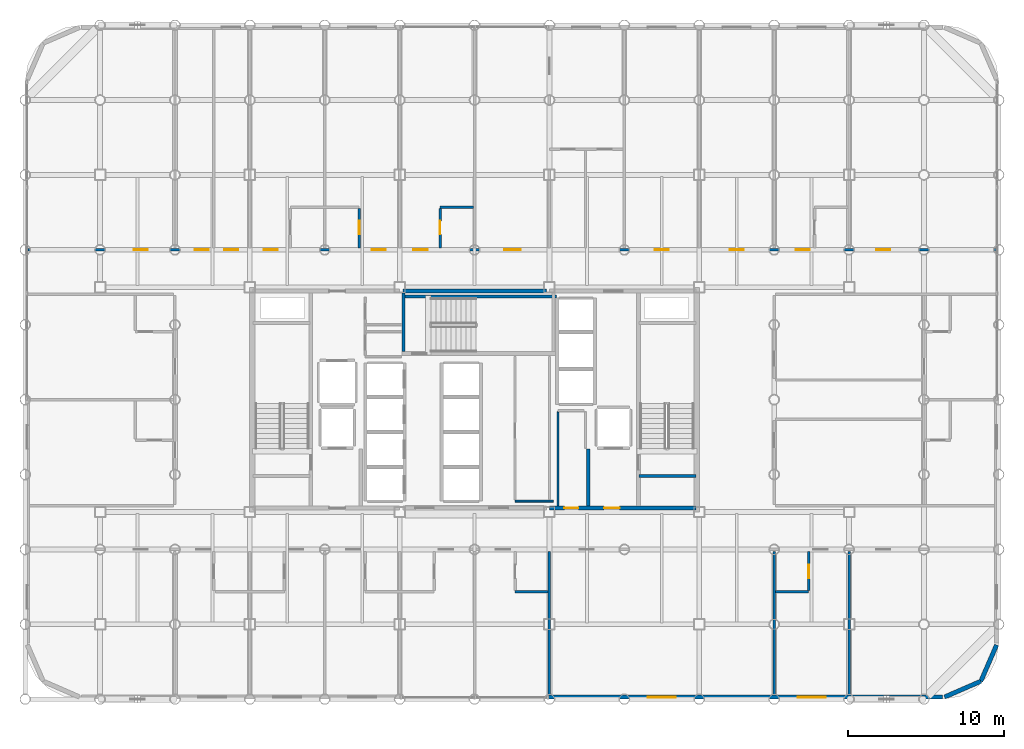
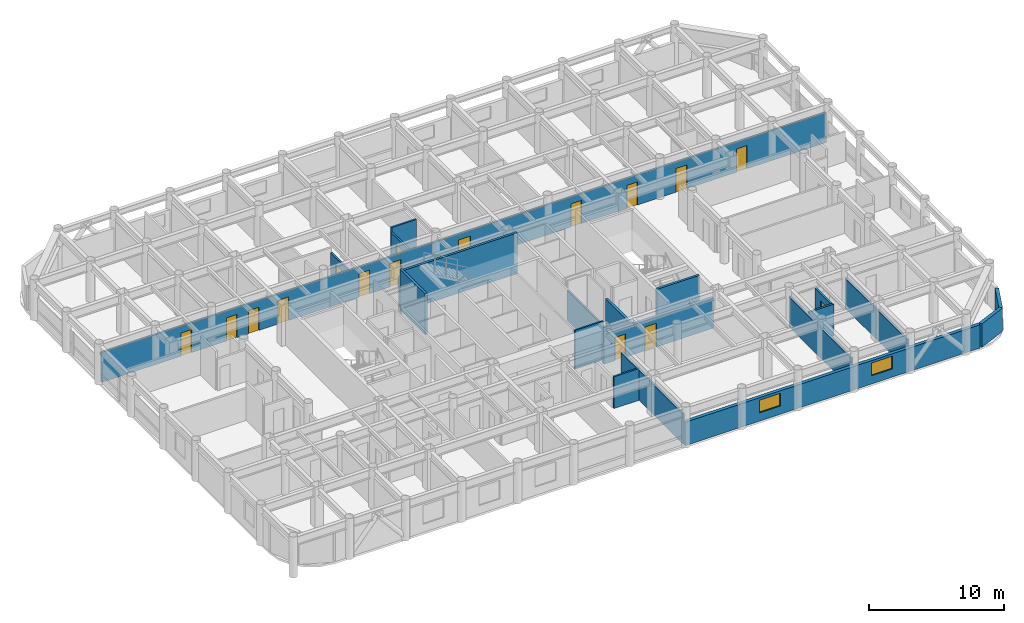
# One storey, part 19 of 22: 21 walls, 16 doors, 2 windows, 18 openings.
"""IFC4 building model written with IfcOpenShell, lengths in metres."""

from ifc_helpers import new_model, si_unit, direction, frame, frame_2d, origin, place, context, subcontext, project, spatial, rectangle, extrude, material, layer, layer_set, type_object, element, fill, save


model = new_model("IFC4")

# Units and contexts
model_context = context("Model", 3, precision=1e-05, world=origin(), true_north=direction((0.0, 1.0)))
body_context = subcontext(model_context, "Body", "Model", "MODEL_VIEW")
ifc_project = project(units=[si_unit("LENGTHUNIT", "METRE"), si_unit("AREAUNIT", "SQUARE_METRE"), si_unit("VOLUMEUNIT", "CUBIC_METRE"), si_unit("PLANEANGLEUNIT", "RADIAN"), si_unit("MASSUNIT", "GRAM", prefix="KILO")], contexts=[model_context])

# Site, building, storey
site_placement = place(None, origin())
site = spatial("IfcSite", under=ifc_project, at=site_placement, CompositionType="ELEMENT")
building_placement = place(site_placement, origin())
building = spatial("IfcBuilding", under=site, at=building_placement, Name="Kallvorn Hotel Tower", CompositionType="ELEMENT")
storey_placement = place(building_placement, frame((0.0, 0.0, 106.300048828125)))
storey = spatial("IfcBuildingStorey", under=building, at=storey_placement, Name="L25", CompositionType="ELEMENT", Elevation=106.300048828125)

# Walls
ifc_material_1 = material(Name="Fire-rated double-layer acoustic gypsum drywall EI 60")
ifc_layer_1 = layer(ifc_material_1, 0.159912109375)
ifc_layer_set_1 = layer_set([ifc_layer_1], Name="WL_DEMISE_160")
wall_type_1 = type_object("IfcWallType", Name="WL_DEMISE_160", PredefinedType="PARTITIONING", material=ifc_layer_set_1)
for number, where, z_axis, x_axis, name in (
    (1, (2.590087890625, -12.320068359375, 0.0), (0.0, 0.0, 1.0), (1.0, 0.0, 0.0), "L25 Suite 2509 Superior Twin Room Partition"),
    (2, (19.280029296875, -12.320068359375, 0.0), (0.0, 0.0, 1.0), (1.0, 0.0, 0.0), "L25 Suite 2510 Superior Twin Room Partition"),
):
    element("IfcWall", number, at=place(storey_placement, frame(where, z_axis=z_axis, x_axis=x_axis)), inside=storey, type_object=wall_type_1, Name=name, PredefinedType="PARTITIONING", context=body_context, shape_type="SweptSolid", body=[
        extrude(rectangle(XDim=2.1298828125, YDim=0.159912109375, at=frame_2d((1.06494140625, 0.0))), origin(), (0.0, 0.0, 1.0), 2.869873046875),
    ])

# Wall, openings, doors
wall_1_placement = place(storey_placement, frame((-28.6298828125, 9.60009765625, 0.0), z_axis=(0.0, 0.0, 1.0), x_axis=(1.0, 0.0, 0.0)))
wall_1 = element("IfcWall", 3, at=wall_1_placement, inside=storey, type_object=wall_type_1, Name="L25 Suite 2511 Standard Twin Room Partition", PredefinedType="PARTITIONING", context=body_context, shape_type="SweptSolid", body=[
    extrude(rectangle(XDim=62.059814453125, YDim=0.159912109375, at=frame_2d((31.02978515625, 0.0))), origin(), (0.0, 0.0, 1.0), 2.719970703125),
])
opening_1_placement = place(wall_1_placement, frame((6.799560546875, 0.0, 0.0)))
opening_1 = element("IfcOpeningElement", 4, at=opening_1_placement, cuts=wall_1, Name="Opening SVD1", PredefinedType="OPENING", context=body_context, shape_type="SweptSolid", body=[
    extrude(rectangle(XDim=0.89990234375, YDim=2.10009765625, at=frame_2d((0.449951171875, 1.050048828125))), frame((0.0, 0.094970703125, 0.0), z_axis=(0.0, -1.0, 0.0), x_axis=(1.0, 0.0, 0.0)), (0.0, 0.0, 1.0), 0.18994140625),
])
opening_2_placement = place(wall_1_placement, frame((54.360595703125, 0.0, 0.0)))
opening_2 = element("IfcOpeningElement", 5, at=opening_2_placement, cuts=wall_1, Name="Opening SVD1", PredefinedType="OPENING", context=body_context, shape_type="SweptSolid", body=[
    extrude(rectangle(XDim=0.89990234375, YDim=2.10009765625, at=frame_2d((0.449951171875, 1.050048828125))), frame((0.0, 0.094970703125, 0.0), z_axis=(0.0, -1.0, 0.0), x_axis=(1.0, 0.0, 0.0)), (0.0, 0.0, 1.0), 0.18994140625),
])
opening_3_placement = place(wall_1_placement, frame((10.68994140625, 0.0, 0.0)))
opening_3 = element("IfcOpeningElement", 6, at=opening_3_placement, cuts=wall_1, Name="Opening SVD1", PredefinedType="OPENING", context=body_context, shape_type="SweptSolid", body=[
    extrude(rectangle(XDim=0.89990234375, YDim=2.10009765625, at=frame_2d((0.449951171875, 1.050048828125))), frame((0.0, 0.094970703125, 0.0), z_axis=(0.0, -1.0, 0.0), x_axis=(1.0, 0.0, 0.0)), (0.0, 0.0, 1.0), 0.18994140625),
])
opening_4_placement = place(wall_1_placement, frame((12.580078125, 0.0, 0.0)))
opening_4 = element("IfcOpeningElement", 7, at=opening_4_placement, cuts=wall_1, Name="Opening SVD1", PredefinedType="OPENING", context=body_context, shape_type="SweptSolid", body=[
    extrude(rectangle(XDim=0.89990234375, YDim=2.10009765625, at=frame_2d((0.449951171875, 1.050048828125))), frame((0.0, 0.094970703125, 0.0), z_axis=(0.0, -1.0, 0.0), x_axis=(1.0, 0.0, 0.0)), (0.0, 0.0, 1.0), 0.18994140625),
])
opening_5_placement = place(wall_1_placement, frame((15.10498046875, 0.0, 0.0)))
opening_5 = element("IfcOpeningElement", 8, at=opening_5_placement, cuts=wall_1, Name="Opening GD1", PredefinedType="OPENING", context=body_context, shape_type="SweptSolid", body=[
    extrude(rectangle(XDim=0.919921875, YDim=2.14990234375, at=frame_2d((0.4599609375, 1.074951171875))), frame((0.0, 0.094970703125, 0.0), z_axis=(0.0, -1.0, 0.0), x_axis=(1.0, 0.0, 0.0)), (0.0, 0.0, 1.0), 0.18994140625),
])
opening_6_placement = place(wall_1_placement, frame((22.034912109375, 0.0, 0.0)))
opening_6 = element("IfcOpeningElement", 9, at=opening_6_placement, cuts=wall_1, Name="Opening GD1", PredefinedType="OPENING", context=body_context, shape_type="SweptSolid", body=[
    extrude(rectangle(XDim=0.919921875, YDim=2.14990234375, at=frame_2d((0.4599609375, 1.074951171875))), frame((0.0, 0.094970703125, 0.0), z_axis=(0.0, -1.0, 0.0), x_axis=(1.0, 0.0, 0.0)), (0.0, 0.0, 1.0), 0.18994140625),
])
opening_7_placement = place(wall_1_placement, frame((24.705078125, 0.0, 0.0)))
opening_7 = element("IfcOpeningElement", 10, at=opening_7_placement, cuts=wall_1, Name="Opening GD1", PredefinedType="OPENING", context=body_context, shape_type="SweptSolid", body=[
    extrude(rectangle(XDim=0.919921875, YDim=2.14990234375, at=frame_2d((0.4599609375, 1.074951171875))), frame((0.0, 0.094970703125, 0.0), z_axis=(0.0, -1.0, 0.0), x_axis=(1.0, 0.0, 0.0)), (0.0, 0.0, 1.0), 0.18994140625),
])
opening_8_placement = place(wall_1_placement, frame((30.544921875, 0.0, 0.0)))
opening_8 = element("IfcOpeningElement", 11, at=opening_8_placement, cuts=wall_1, Name="Opening GD2", PredefinedType="OPENING", context=body_context, shape_type="SweptSolid", body=[
    extrude(rectangle(XDim=1.050048828125, YDim=2.199951171875, at=frame_2d((0.52490234375, 1.10009765625))), frame((0.0, 0.094970703125, 0.0), z_axis=(0.0, -1.0, 0.0), x_axis=(1.0, 0.0, 0.0)), (0.0, 0.0, 1.0), 0.18994140625),
])
opening_9_placement = place(wall_1_placement, frame((40.179931640625, 0.0, 0.0)))
opening_9 = element("IfcOpeningElement", 12, at=opening_9_placement, cuts=wall_1, Name="Opening SVD1", PredefinedType="OPENING", context=body_context, shape_type="SweptSolid", body=[
    extrude(rectangle(XDim=0.89990234375, YDim=2.10009765625, at=frame_2d((0.449951171875, 1.050048828125))), frame((0.0, 0.094970703125, 0.0), z_axis=(0.0, -1.0, 0.0), x_axis=(1.0, 0.0, 0.0)), (0.0, 0.0, 1.0), 0.18994140625),
])
opening_10_placement = place(wall_1_placement, frame((44.97998046875, 0.0, 0.0)))
opening_10 = element("IfcOpeningElement", 13, at=opening_10_placement, cuts=wall_1, Name="Opening SVD1", PredefinedType="OPENING", context=body_context, shape_type="SweptSolid", body=[
    extrude(rectangle(XDim=0.89990234375, YDim=2.10009765625, at=frame_2d((0.449951171875, 1.050048828125))), frame((0.0, 0.094970703125, 0.0), z_axis=(0.0, -1.0, 0.0), x_axis=(1.0, 0.0, 0.0)), (0.0, 0.0, 1.0), 0.18994140625),
])
opening_11_placement = place(wall_1_placement, frame((49.199951171875, 0.0, 0.0)))
opening_11 = element("IfcOpeningElement", 14, at=opening_11_placement, cuts=wall_1, Name="Opening GD1", PredefinedType="OPENING", context=body_context, shape_type="SweptSolid", body=[
    extrude(rectangle(XDim=0.919921875, YDim=2.14990234375, at=frame_2d((0.4599609375, 1.074951171875))), frame((0.0, 0.094970703125, 0.0), z_axis=(0.0, -1.0, 0.0), x_axis=(1.0, 0.0, 0.0)), (0.0, 0.0, 1.0), 0.18994140625),
])
ifc_material_2 = material(Name="Solid-core walnut veneer fire-rated timber door leaf", Category="wood")
door_type_1 = type_object("IfcDoorType", Name="DR_GUEST_920x2150", OperationType="NOTDEFINED", PredefinedType="DOOR", material=ifc_material_2)
door_1_placement = place(opening_5_placement, origin())
door_1 = element("IfcDoor", 15, at=door_1_placement, inside=storey, type_object=door_type_1, Name="L25 Suite 2511 Standard Twin Room Door", OperationType="SINGLE_SWING_RIGHT", OverallHeight=2.14990234375, OverallWidth=0.919921875, PredefinedType="DOOR", context=body_context, shape_type="SweptSolid", body=[
    extrude(rectangle(XDim=0.919921875, YDim=2.14990234375, at=frame_2d((0.4599609375, 1.074951171875))), frame((0.0, 0.02490234375, 0.0), z_axis=(0.0, -1.0, 0.0), x_axis=(1.0, 0.0, 0.0)), (0.0, 0.0, 1.0), 0.050048828125),
])
fill(opening_5, door_1)
door_2_placement = place(opening_6_placement, origin())
door_2 = element("IfcDoor", 16, at=door_2_placement, inside=storey, type_object=door_type_1, Name="L25 Suite 2512 Standard Twin Room Door", OperationType="SINGLE_SWING_LEFT", OverallHeight=2.14990234375, OverallWidth=0.919921875, PredefinedType="DOOR", context=body_context, shape_type="SweptSolid", body=[
    extrude(rectangle(XDim=0.919921875, YDim=2.14990234375, at=frame_2d((0.4599609375, 1.074951171875))), frame((0.0, 0.02490234375, 0.0), z_axis=(0.0, -1.0, 0.0), x_axis=(1.0, 0.0, 0.0)), (0.0, 0.0, 1.0), 0.050048828125),
])
fill(opening_6, door_2)
door_3_placement = place(opening_7_placement, origin())
door_3 = element("IfcDoor", 17, at=door_3_placement, inside=storey, type_object=door_type_1, Name="L25 Suite 2513 Standard Twin Room Door", OperationType="SINGLE_SWING_RIGHT", OverallHeight=2.14990234375, OverallWidth=0.919921875, PredefinedType="DOOR", context=body_context, shape_type="SweptSolid", body=[
    extrude(rectangle(XDim=0.919921875, YDim=2.14990234375, at=frame_2d((0.4599609375, 1.074951171875))), frame((0.0, 0.02490234375, 0.0), z_axis=(0.0, -1.0, 0.0), x_axis=(1.0, 0.0, 0.0)), (0.0, 0.0, 1.0), 0.050048828125),
])
fill(opening_7, door_3)
door_4_placement = place(opening_11_placement, origin())
door_4 = element("IfcDoor", 18, at=door_4_placement, inside=storey, type_object=door_type_1, Name="L25 Suite 2515 Standard Twin Room Door", OperationType="SINGLE_SWING_RIGHT", OverallHeight=2.14990234375, OverallWidth=0.919921875, PredefinedType="DOOR", context=body_context, shape_type="SweptSolid", body=[
    extrude(rectangle(XDim=0.919921875, YDim=2.14990234375, at=frame_2d((0.4599609375, 1.074951171875))), frame((0.0, 0.02490234375, 0.0), z_axis=(0.0, -1.0, 0.0), x_axis=(1.0, 0.0, 0.0)), (0.0, 0.0, 1.0), 0.050048828125),
])
fill(opening_11, door_4)
ifc_material_3 = material(Name="Galvanised painted steel fire-rated door assembly", Category="steel")
door_type_2 = type_object("IfcDoorType", Name="DR_SERV_900x2100", OperationType="NOTDEFINED", PredefinedType="DOOR", material=ifc_material_3)
door_5_placement = place(opening_1_placement, origin())
door_5 = element("IfcDoor", 19, at=door_5_placement, inside=storey, type_object=door_type_2, Name="L25 L25 North-West Fitness Gymnasium Door", OperationType="SINGLE_SWING_LEFT", OverallHeight=2.10009765625, OverallWidth=0.89990234375, PredefinedType="DOOR", context=body_context, shape_type="SweptSolid", body=[
    extrude(rectangle(XDim=0.89990234375, YDim=2.10009765625, at=frame_2d((0.449951171875, 1.050048828125))), frame((0.0, 0.02490234375, 0.0), z_axis=(0.0, -1.0, 0.0), x_axis=(1.0, 0.0, 0.0)), (0.0, 0.0, 1.0), 0.050048828125),
])
fill(opening_1, door_5)
door_6_placement = place(opening_2_placement, origin())
door_6 = element("IfcDoor", 20, at=door_6_placement, inside=storey, type_object=door_type_2, Name="L25 L25 North-East Reading Club Door", OperationType="SINGLE_SWING_LEFT", OverallHeight=2.10009765625, OverallWidth=0.89990234375, PredefinedType="DOOR", context=body_context, shape_type="SweptSolid", body=[
    extrude(rectangle(XDim=0.89990234375, YDim=2.10009765625, at=frame_2d((0.449951171875, 1.050048828125))), frame((0.0, 0.02490234375, 0.0), z_axis=(0.0, -1.0, 0.0), x_axis=(1.0, 0.0, 0.0)), (0.0, 0.0, 1.0), 0.050048828125),
])
fill(opening_2, door_6)
door_7_placement = place(opening_3_placement, origin())
door_7 = element("IfcDoor", 21, at=door_7_placement, inside=storey, type_object=door_type_2, Name="L25 Housekeeping and Linen Room Door", OperationType="SINGLE_SWING_LEFT", OverallHeight=2.10009765625, OverallWidth=0.89990234375, PredefinedType="DOOR", context=body_context, shape_type="SweptSolid", body=[
    extrude(rectangle(XDim=0.89990234375, YDim=2.10009765625, at=frame_2d((0.449951171875, 1.050048828125))), frame((0.0, 0.02490234375, 0.0), z_axis=(0.0, -1.0, 0.0), x_axis=(1.0, 0.0, 0.0)), (0.0, 0.0, 1.0), 0.050048828125),
])
fill(opening_3, door_7)
door_8_placement = place(opening_4_placement, origin())
door_8 = element("IfcDoor", 22, at=door_8_placement, inside=storey, type_object=door_type_2, Name="L25 Guest Tea and Refreshment Bar Door", OperationType="SINGLE_SWING_RIGHT", OverallHeight=2.10009765625, OverallWidth=0.89990234375, PredefinedType="DOOR", context=body_context, shape_type="SweptSolid", body=[
    extrude(rectangle(XDim=0.89990234375, YDim=2.10009765625, at=frame_2d((0.449951171875, 1.050048828125))), frame((0.0, 0.02490234375, 0.0), z_axis=(0.0, -1.0, 0.0), x_axis=(1.0, 0.0, 0.0)), (0.0, 0.0, 1.0), 0.050048828125),
])
fill(opening_4, door_8)
door_9_placement = place(opening_9_placement, origin())
door_9 = element("IfcDoor", 23, at=door_9_placement, inside=storey, type_object=door_type_2, Name="L25 L25 Diplomatic Summit Conference Boardroom 6-1 Door", OperationType="SINGLE_SWING_LEFT", OverallHeight=2.10009765625, OverallWidth=0.89990234375, PredefinedType="DOOR", context=body_context, shape_type="SweptSolid", body=[
    extrude(rectangle(XDim=0.89990234375, YDim=2.10009765625, at=frame_2d((0.449951171875, 1.050048828125))), frame((0.0, 0.02490234375, 0.0), z_axis=(0.0, -1.0, 0.0), x_axis=(1.0, 0.0, 0.0)), (0.0, 0.0, 1.0), 0.050048828125),
])
fill(opening_9, door_9)
door_10_placement = place(opening_10_placement, origin())
door_10 = element("IfcDoor", 24, at=door_10_placement, inside=storey, type_object=door_type_2, Name="L25 L25 Diplomatic Summit Conference Boardroom 6-2 Door", OperationType="SINGLE_SWING_LEFT", OverallHeight=2.10009765625, OverallWidth=0.89990234375, PredefinedType="DOOR", context=body_context, shape_type="SweptSolid", body=[
    extrude(rectangle(XDim=0.89990234375, YDim=2.10009765625, at=frame_2d((0.449951171875, 1.050048828125))), frame((0.0, 0.02490234375, 0.0), z_axis=(0.0, -1.0, 0.0), x_axis=(1.0, 0.0, 0.0)), (0.0, 0.0, 1.0), 0.050048828125),
])
fill(opening_10, door_10)
ifc_material_4 = material(Name="Solid-core walnut veneer fire-rated timber door leaf", Category="wood")
door_type_3 = type_object("IfcDoorType", Name="DR_SUITE_1050x2200", OperationType="NOTDEFINED", PredefinedType="DOOR", material=ifc_material_4)
door_11_placement = place(opening_8_placement, origin())
door_11 = element("IfcDoor", 25, at=door_11_placement, inside=storey, type_object=door_type_3, Name="L25 Suite 2514 Junior Living Salon Door", OperationType="SINGLE_SWING_LEFT", OverallHeight=2.199951171875, OverallWidth=1.050048828125, PredefinedType="DOOR", context=body_context, shape_type="SweptSolid", body=[
    extrude(rectangle(XDim=1.050048828125, YDim=2.199951171875, at=frame_2d((0.52490234375, 1.10009765625))), frame((0.0, 0.02490234375, 0.0), z_axis=(0.0, -1.0, 0.0), x_axis=(1.0, 0.0, 0.0)), (0.0, 0.0, 1.0), 0.050048828125),
])
fill(opening_8, door_11)

# Wall
wall_2_placement = place(storey_placement, frame((-2.2099609375, 12.320068359375, 0.0), z_axis=(0.0, 0.0, 1.0), x_axis=(1.0, 0.0, 0.0)))
element("IfcWall", 26, at=wall_2_placement, inside=storey, type_object=wall_type_1, Name="L25 Suite 2513 Standard Twin Room Partition", PredefinedType="PARTITIONING", context=body_context, shape_type="SweptSolid", body=[
    extrude(rectangle(XDim=2.1298828125, YDim=0.159912109375, at=frame_2d((1.06494140625, 0.0))), origin(), (0.0, 0.0, 1.0), 3.119873046875),
])

# Wall, opening, door
wall_3_placement = place(storey_placement, frame((-7.389892578125, 9.719970703125, 0.0), z_axis=(0.0, 0.0, 1.0), x_axis=(0.0, 1.0, 0.0)))
wall_3 = element("IfcWall", 27, at=wall_3_placement, inside=storey, type_object=wall_type_1, Name="L25 Suite 2512 Standard Twin Room Partition", PredefinedType="PARTITIONING", context=body_context, shape_type="SweptSolid", body=[
    extrude(rectangle(XDim=2.51513671875, YDim=0.159912109375, at=frame_2d((1.257568359375, 0.0))), origin(), (0.0, 0.0, 1.0), 2.719970703125),
])
opening_12_placement = place(wall_3_placement, frame((0.8701171875, 0.0, 0.0)))
opening_12 = element("IfcOpeningElement", 28, at=opening_12_placement, cuts=wall_3, Name="Opening BD-I", PredefinedType="OPENING", context=body_context, shape_type="SweptSolid", body=[
    extrude(rectangle(XDim=0.860107421875, YDim=2.10009765625, at=frame_2d((0.43017578125, 1.050048828125))), frame((0.0, 0.094970703125, 0.0), z_axis=(0.0, -1.0, 0.0), x_axis=(1.0, 0.0, 0.0)), (0.0, 0.0, 1.0), 0.18994140625),
])
ifc_material_5 = material(Name="Solid-core walnut veneer fire-rated timber door leaf", Category="wood")
door_type_4 = type_object("IfcDoorType", Name="DR_BATH_860x2100", OperationType="NOTDEFINED", PredefinedType="DOOR", material=ifc_material_5)
door_12_placement = place(opening_12_placement, origin())
door_12 = element("IfcDoor", 29, at=door_12_placement, inside=storey, type_object=door_type_4, Name="L25 Suite 2512 En-Suite Bathroom Door", OperationType="SINGLE_SWING_LEFT", OverallHeight=2.10009765625, OverallWidth=0.860107421875, PredefinedType="DOOR", context=body_context, shape_type="SweptSolid", body=[
    extrude(rectangle(XDim=0.860107421875, YDim=2.10009765625, at=frame_2d((0.43017578125, 1.050048828125))), frame((0.0, 0.02490234375, 0.0), z_axis=(0.0, -1.0, 0.0), x_axis=(1.0, 0.0, 0.0)), (0.0, 0.0, 1.0), 0.050048828125),
])
fill(opening_12, door_12)

wall_4_placement = place(storey_placement, frame((-2.2099609375, 9.719970703125, 0.0), z_axis=(0.0, 0.0, 1.0), x_axis=(0.0, 1.0, 0.0)))
wall_4 = element("IfcWall", 30, at=wall_4_placement, inside=storey, type_object=wall_type_1, Name="L25 Suite 2513 Standard Twin Room Partition", PredefinedType="PARTITIONING", context=body_context, shape_type="SweptSolid", body=[
    extrude(rectangle(XDim=2.51513671875, YDim=0.159912109375, at=frame_2d((1.257568359375, 0.0))), origin(), (0.0, 0.0, 1.0), 2.719970703125),
])
opening_13_placement = place(wall_4_placement, frame((0.8701171875, 0.0, 0.0)))
opening_13 = element("IfcOpeningElement", 31, at=opening_13_placement, cuts=wall_4, Name="Opening BD-I", PredefinedType="OPENING", context=body_context, shape_type="SweptSolid", body=[
    extrude(rectangle(XDim=0.860107421875, YDim=2.10009765625, at=frame_2d((0.43017578125, 1.050048828125))), frame((0.0, 0.094970703125, 0.0), z_axis=(0.0, -1.0, 0.0), x_axis=(1.0, 0.0, 0.0)), (0.0, 0.0, 1.0), 0.18994140625),
])
door_13_placement = place(opening_13_placement, origin())
door_13 = element("IfcDoor", 32, at=door_13_placement, inside=storey, type_object=door_type_4, Name="L25 Suite 2513 En-Suite Bathroom Door", OperationType="SINGLE_SWING_LEFT", OverallHeight=2.10009765625, OverallWidth=0.860107421875, PredefinedType="DOOR", context=body_context, shape_type="SweptSolid", body=[
    extrude(rectangle(XDim=0.860107421875, YDim=2.10009765625, at=frame_2d((0.43017578125, 1.050048828125))), frame((0.0, 0.02490234375, 0.0), z_axis=(0.0, -1.0, 0.0), x_axis=(1.0, 0.0, 0.0)), (0.0, 0.0, 1.0), 0.050048828125),
])
fill(opening_13, door_13)

# Walls
for number, where, z_axis, x_axis, name in (
    (33, (4.800048828125, -18.909912109375, 0.0), (0.0, 0.0, 1.0), (0.0, 1.0, 0.0), "L25 Suite 2509 Superior Twin Room Partition"),
    (34, (19.199951171875, -18.909912109375, 0.0), (0.0, 0.0, 1.0), (0.0, 1.0, 0.0), "L25 Suite 2510 Superior Twin Room Partition"),
):
    element("IfcWall", number, at=place(storey_placement, frame(where, z_axis=z_axis, x_axis=x_axis)), inside=storey, type_object=wall_type_1, Name=name, PredefinedType="PARTITIONING", context=body_context, shape_type="SweptSolid", body=[
        extrude(rectangle(XDim=9.18994140625, YDim=0.159912109375, at=frame_2d((4.594970703125, 0.0))), origin(), (0.0, 0.0, 1.0), 2.719970703125),
    ])

# Wall, opening, door
wall_5_placement = place(storey_placement, frame((21.409912109375, -12.235107421875, 0.0), z_axis=(0.0, 0.0, 1.0), x_axis=(0.0, 1.0, 0.0)))
wall_5 = element("IfcWall", 35, at=wall_5_placement, inside=storey, type_object=wall_type_1, Name="L25 Suite 2510 Superior Twin Room Partition", PredefinedType="PARTITIONING", context=body_context, shape_type="SweptSolid", body=[
    extrude(rectangle(XDim=2.51513671875, YDim=0.159912109375, at=frame_2d((1.257568359375, 0.0))), origin(), (0.0, 0.0, 1.0), 2.719970703125),
])
opening_14_placement = place(wall_5_placement, frame((0.784912109375, 0.0, 0.0)))
opening_14 = element("IfcOpeningElement", 36, at=opening_14_placement, cuts=wall_5, Name="Opening BD-I", PredefinedType="OPENING", context=body_context, shape_type="SweptSolid", body=[
    extrude(rectangle(XDim=0.860107421875, YDim=2.10009765625, at=frame_2d((0.43017578125, 1.050048828125))), frame((0.0, 0.094970703125, 0.0), z_axis=(0.0, -1.0, 0.0), x_axis=(1.0, 0.0, 0.0)), (0.0, 0.0, 1.0), 0.18994140625),
])
door_14_placement = place(opening_14_placement, origin())
door_14 = element("IfcDoor", 37, at=door_14_placement, inside=storey, type_object=door_type_4, Name="L25 Suite 2510 En-Suite Bathroom Door", OperationType="SINGLE_SWING_LEFT", OverallHeight=2.10009765625, OverallWidth=0.860107421875, PredefinedType="DOOR", context=body_context, shape_type="SweptSolid", body=[
    extrude(rectangle(XDim=0.860107421875, YDim=2.10009765625, at=frame_2d((0.43017578125, 1.050048828125))), frame((0.0, 0.02490234375, 0.0), z_axis=(0.0, -1.0, 0.0), x_axis=(1.0, 0.0, 0.0)), (0.0, 0.0, 1.0), 0.050048828125),
])
fill(opening_14, door_14)

# Walls
wall_6_placement = place(storey_placement, frame((24.0, -18.909912109375, 0.0), z_axis=(0.0, 0.0, 1.0), x_axis=(0.0, 1.0, 0.0)))
element("IfcWall", 38, at=wall_6_placement, inside=storey, type_object=wall_type_1, Name="L25 Suite 2510 Superior Twin Room Partition", PredefinedType="PARTITIONING", context=body_context, shape_type="SweptSolid", body=[
    extrude(rectangle(XDim=9.18994140625, YDim=0.159912109375, at=frame_2d((4.594970703125, 0.0))), origin(), (0.0, 0.0, 1.0), 2.719970703125),
])
ifc_material_6 = material(Name="Precast basalt-clad insulated concrete wall C40/50", Category="masonry")
ifc_layer_2 = layer(ifc_material_6, 0.280029296875)
ifc_layer_set_2 = layer_set([ifc_layer_2], Name="WL_EXT_LOGGIA_280")
wall_type_2 = type_object("IfcWallType", Name="WL_EXT_LOGGIA_280", PredefinedType="SOLIDWALL", material=ifc_layer_set_2)
wall_7_placement = place(storey_placement, frame((30.120849609375, -19.057861328125, 0.0), z_axis=(0.0, 0.0, 1.0), x_axis=(0.917060872934, 0.398747232384, 0.0)))
element("IfcWall", 39, at=wall_7_placement, inside=storey, type_object=wall_type_2, Name="L25 Rounded Corner Exterior Wall SE1", PredefinedType="SOLIDWALL", context=body_context, shape_type="SweptSolid", body=[
    extrude(rectangle(XDim=2.5361328125, YDim=0.280029296875, at=frame_2d((1.26806640625, 0.0))), origin(), (0.0, 0.0, 1.0), 2.119873046875),
])
wall_8_placement = place(storey_placement, frame((32.446533203125, -18.046630859375, 0.0), z_axis=(0.0, 0.0, 1.0), x_axis=(0.398792985289, 0.917040977756, 0.0)))
element("IfcWall", 40, at=wall_8_placement, inside=storey, type_object=wall_type_2, Name="L25 Rounded Corner Exterior Wall SE2", PredefinedType="SOLIDWALL", context=body_context, shape_type="SweptSolid", body=[
    extrude(rectangle(XDim=2.536376953125, YDim=0.280029296875, at=frame_2d((1.26806640625, 0.0))), origin(), (0.0, 0.0, 1.0), 2.119873046875),
])

# Wall, openings, windows
wall_9_placement = place(storey_placement, frame((4.75, -19.06005859375, 0.0), z_axis=(0.0, 0.0, 1.0), x_axis=(1.0, 0.0, 0.0)))
wall_9 = element("IfcWall", 41, at=wall_9_placement, inside=storey, type_object=wall_type_2, Name="L25 Exterior Envelope Wall EW-L25-SE", PredefinedType="SOLIDWALL", context=body_context, shape_type="SweptSolid", body=[
    extrude(rectangle(XDim=25.25, YDim=0.280029296875, at=frame_2d((12.625, 0.0))), origin(), (0.0, 0.0, 1.0), 2.119873046875),
])
opening_15_placement = place(wall_9_placement, frame((6.35009765625, 0.0, 0.75)))
opening_15 = element("IfcOpeningElement", 42, at=opening_15_placement, cuts=wall_9, Name="Opening W04A", PredefinedType="OPENING", context=body_context, shape_type="SweptSolid", body=[
    extrude(rectangle(XDim=1.800048828125, YDim=1.14990234375, at=frame_2d((0.89990234375, 0.574951171875))), frame((0.0, 0.155029296875, 0.0), z_axis=(0.0, -1.0, 0.0), x_axis=(1.0, 0.0, 0.0)), (0.0, 0.0, 1.0), 0.31005859375),
])
opening_16_placement = place(wall_9_placement, frame((15.949951171875, 0.0, 0.75)))
opening_16 = element("IfcOpeningElement", 43, at=opening_16_placement, cuts=wall_9, Name="Opening W04A", PredefinedType="OPENING", context=body_context, shape_type="SweptSolid", body=[
    extrude(rectangle(XDim=1.800048828125, YDim=1.14990234375, at=frame_2d((0.89990234375, 0.574951171875))), frame((0.0, 0.155029296875, 0.0), z_axis=(0.0, -1.0, 0.0), x_axis=(1.0, 0.0, 0.0)), (0.0, 0.0, 1.0), 0.31005859375),
])
ifc_material_7 = material(Name="Double-glazed low-e solar-control dark glass", Category="glass")
window_type = type_object("IfcWindowType", Name="WN_HTL_1800x1150", PartitioningType="SINGLE_PANEL", PredefinedType="WINDOW", material=ifc_material_7)
window_1_placement = place(opening_15_placement, origin())
window_1 = element("IfcWindow", 44, at=window_1_placement, inside=storey, type_object=window_type, Name="L25 Guestroom Exterior Window 08", OverallHeight=1.14990234375, OverallWidth=1.800048828125, PartitioningType="SINGLE_PANEL", PredefinedType="WINDOW", context=body_context, shape_type="SweptSolid", body=[
    extrude(rectangle(XDim=1.800048828125, YDim=1.14990234375, at=frame_2d((0.89990234375, 0.574951171875))), frame((0.0, 0.030029296875, 0.0), z_axis=(0.0, -1.0, 0.0), x_axis=(1.0, 0.0, 0.0)), (0.0, 0.0, 1.0), 0.06005859375),
])
fill(opening_15, window_1)
window_2_placement = place(opening_16_placement, origin())
window_2 = element("IfcWindow", 45, at=window_2_placement, inside=storey, type_object=window_type, Name="L25 Guestroom Exterior Window 09", OverallHeight=1.14990234375, OverallWidth=1.800048828125, PartitioningType="SINGLE_PANEL", PredefinedType="WINDOW", context=body_context, shape_type="SweptSolid", body=[
    extrude(rectangle(XDim=1.800048828125, YDim=1.14990234375, at=frame_2d((0.89990234375, 0.574951171875))), frame((0.0, 0.030029296875, 0.0), z_axis=(0.0, -1.0, 0.0), x_axis=(1.0, 0.0, 0.0)), (0.0, 0.0, 1.0), 0.06005859375),
])
fill(opening_16, window_2)

# Walls
ifc_material_8 = material(Name="Concrete C40/50", Category="concrete")
ifc_layer_3 = layer(ifc_material_8, 0.219970703125)
ifc_layer_set_3 = layer_set([ifc_layer_3], Name="WL_FFL_220")
wall_type_3 = type_object("IfcWallType", Name="WL_FFL_220", PredefinedType="SOLIDWALL", material=ifc_layer_set_3)
wall_10_placement = place(storey_placement, frame((7.300048828125, -6.820068359375, 0.0), z_axis=(0.0, 0.0, 1.0), x_axis=(0.0, 1.0, 0.0)))
element("IfcWall", 46, at=wall_10_placement, inside=storey, type_object=wall_type_3, Name="L25 Firefighting Lobby East Divider Wall", PredefinedType="SOLIDWALL", context=body_context, shape_type="SweptSolid", body=[
    extrude(rectangle(XDim=3.670166015625, YDim=0.219970703125, at=frame_2d((1.8349609375, 0.0))), origin(), (0.0, 0.0, 1.0), 2.719970703125),
])
ifc_material_9 = material(Name="Concrete C40/50", Category="concrete")
ifc_layer_4 = layer(ifc_material_9, 0.199951171875)
ifc_layer_set_4 = layer_set([ifc_layer_4], Name="WL_HOIST_200")
wall_type_4 = type_object("IfcWallType", Name="WL_HOIST_200", PredefinedType="SOLIDWALL", material=ifc_layer_set_4)
wall_11_placement = place(storey_placement, frame((10.550048828125, -4.89990234375, -0.179931640625), z_axis=(0.0, 0.0, 1.0), x_axis=(1.0, 0.0, 0.0)))
element("IfcWall", 47, at=wall_11_placement, inside=storey, type_object=wall_type_4, Name="L25 Stair ST2 South Wall", PredefinedType="SOLIDWALL", context=body_context, shape_type="SweptSolid", body=[
    extrude(rectangle(XDim=3.64990234375, YDim=0.199951171875, at=frame_2d((1.824951171875, 0.0))), origin(), (0.0, 0.0, 1.0), 3.699951171875),
])
wall_12_placement = place(storey_placement, frame((-4.64990234375, 6.610107421875, -0.179931640625), z_axis=(0.0, 0.0, 1.0), x_axis=(1.0, 0.0, 0.0)))
element("IfcWall", 48, at=wall_12_placement, inside=storey, type_object=wall_type_4, Name="L25 Stair ST3 Shaft North Wall", PredefinedType="SOLIDWALL", context=body_context, shape_type="SweptSolid", body=[
    extrude(rectangle(XDim=9.89990234375, YDim=0.199951171875, at=frame_2d((4.949951171875, 0.0))), origin(), (0.0, 0.0, 1.0), 3.699951171875),
])
wall_13_placement = place(storey_placement, frame((-4.550048828125, 3.080078125, -0.179931640625), z_axis=(0.0, 0.0, 1.0), x_axis=(0.0, 1.0, 0.0)))
element("IfcWall", 49, at=wall_13_placement, inside=storey, type_object=wall_type_4, Name="L25 Stair ST3 West Wall", PredefinedType="SOLIDWALL", context=body_context, shape_type="SweptSolid", body=[
    extrude(rectangle(XDim=3.739990234375, YDim=0.199951171875, at=frame_2d((1.8701171875, 0.0))), origin(), (0.0, 0.0, 1.0), 3.699951171875),
])
ifc_material_10 = material(Name="Fire-rated double-layer acoustic gypsum drywall EI 60")
ifc_layer_5 = layer(ifc_material_10, 0.1201171875)
ifc_layer_set_5 = layer_set([ifc_layer_5], Name="WL_INT_120")
wall_type_5 = type_object("IfcWallType", Name="WL_INT_120", PredefinedType="PARTITIONING", material=ifc_layer_set_5)
wall_14_placement = place(storey_placement, frame((2.60009765625, -6.5, 0.0), z_axis=(0.0, 0.0, 1.0), x_axis=(1.0, 0.0, 0.0)))
element("IfcWall", 50, at=wall_14_placement, inside=storey, type_object=wall_type_5, Name="L25 East Core Consolidated Linen and Supply Store Partition", PredefinedType="PARTITIONING", context=body_context, shape_type="SweptSolid", body=[
    extrude(rectangle(XDim=2.449951171875, YDim=0.1201171875, at=frame_2d((1.22509765625, 0.0))), origin(), (0.0, 0.0, 1.0), 3.52001953125),
])
wall_15_placement = place(storey_placement, frame((5.35009765625, -6.800048828125, 0.0), z_axis=(0.0, 0.0, 1.0), x_axis=(0.0, 1.0, 0.0)))
element("IfcWall", 51, at=wall_15_placement, inside=storey, type_object=wall_type_5, Name="L25 Core Utility and Meter Room Partition", PredefinedType="PARTITIONING", context=body_context, shape_type="SweptSolid", body=[
    extrude(rectangle(XDim=6.01513671875, YDim=0.1201171875, at=frame_2d((3.007568359375, 0.0))), origin(), (0.0, 0.0, 1.0), 2.719970703125),
])

# Wall, openings, doors
ifc_material_11 = material(Name="Concrete C40/50", Category="concrete")
ifc_layer_6 = layer(ifc_material_11, 0.25)
ifc_layer_set_6 = layer_set([ifc_layer_6], Name="WL_SHAFT_250")
wall_type_6 = type_object("IfcWallType", Name="WL_SHAFT_250", PredefinedType="SOLIDWALL", material=ifc_layer_set_6)
wall_16_placement = place(storey_placement, frame((4.800048828125, -6.949951171875, 0.0), z_axis=(0.0, 0.0, 1.0), x_axis=(1.0, 0.0, 0.0)))
wall_16 = element("IfcWall", 52, at=wall_16_placement, inside=storey, type_object=wall_type_6, Name="L25 Core South-East Wall", PredefinedType="SOLIDWALL", context=body_context, shape_type="SweptSolid", body=[
    extrude(rectangle(XDim=9.39990234375, YDim=0.25, at=frame_2d((4.699951171875, 0.0))), origin(), (0.0, 0.0, 1.0), 2.719970703125),
])
opening_17_placement = place(wall_16_placement, frame((3.5, 0.0, 0.0)))
opening_17 = element("IfcOpeningElement", 53, at=opening_17_placement, cuts=wall_16, Name="Opening FD1", PredefinedType="OPENING", context=body_context, shape_type="SweptSolid", body=[
    extrude(rectangle(XDim=1.0, YDim=2.14990234375, at=frame_2d((0.5, 1.074951171875))), frame((0.0, 0.139892578125, 0.0), z_axis=(0.0, -1.0, 0.0), x_axis=(1.0, 0.0, 0.0)), (0.0, 0.0, 1.0), 0.280029296875),
])
opening_18_placement = place(wall_16_placement, frame((0.949951171875, 0.0, 0.0)))
opening_18 = element("IfcOpeningElement", 54, at=opening_18_placement, cuts=wall_16, Name="Opening SVD1", PredefinedType="OPENING", context=body_context, shape_type="SweptSolid", body=[
    extrude(rectangle(XDim=0.89990234375, YDim=2.10009765625, at=frame_2d((0.449951171875, 1.050048828125))), frame((0.0, 0.139892578125, 0.0), z_axis=(0.0, -1.0, 0.0), x_axis=(1.0, 0.0, 0.0)), (0.0, 0.0, 1.0), 0.280029296875),
])
ifc_material_12 = material(Name="Galvanised painted steel fire-rated door assembly", Category="steel")
door_type_5 = type_object("IfcDoorType", Name="DR_FFL_1000x2150", OperationType="NOTDEFINED", PredefinedType="DOOR", material=ifc_material_12)
door_15_placement = place(opening_17_placement, origin())
door_15 = element("IfcDoor", 55, at=door_15_placement, inside=storey, type_object=door_type_5, Name="L25 Firefighting Lobby East Door", OperationType="SINGLE_SWING_LEFT", OverallHeight=2.14990234375, OverallWidth=1.0, PredefinedType="DOOR", context=body_context, shape_type="SweptSolid", body=[
    extrude(rectangle(XDim=1.0, YDim=2.14990234375, at=frame_2d((0.5, 1.074951171875))), frame((0.0, 0.02490234375, 0.0), z_axis=(0.0, -1.0, 0.0), x_axis=(1.0, 0.0, 0.0)), (0.0, 0.0, 1.0), 0.050048828125),
])
fill(opening_17, door_15)
door_16_placement = place(opening_18_placement, origin())
door_16 = element("IfcDoor", 56, at=door_16_placement, inside=storey, type_object=door_type_2, Name="L25 Core Utility and Meter Room Door", OperationType="SINGLE_SWING_LEFT", OverallHeight=2.10009765625, OverallWidth=0.89990234375, PredefinedType="DOOR", context=body_context, shape_type="SweptSolid", body=[
    extrude(rectangle(XDim=0.89990234375, YDim=2.10009765625, at=frame_2d((0.449951171875, 1.050048828125))), frame((0.0, 0.02490234375, 0.0), z_axis=(0.0, -1.0, 0.0), x_axis=(1.0, 0.0, 0.0)), (0.0, 0.0, 1.0), 0.050048828125),
])
fill(opening_18, door_16)

# Wall
wall_17_placement = place(storey_placement, frame((-4.60009765625, 6.949951171875, 0.0), z_axis=(0.0, 0.0, 1.0), x_axis=(1.0, 0.0, 0.0)))
element("IfcWall", 57, at=wall_17_placement, inside=storey, type_object=wall_type_6, Name="L25 Core North-Central Wall", PredefinedType="SOLIDWALL", context=body_context, shape_type="SweptSolid", body=[
    extrude(rectangle(XDim=9.2001953125, YDim=0.25, at=frame_2d((4.60009765625, 0.0))), origin(), (0.0, 0.0, 1.0), 2.719970703125),
])

save(model, "model.ifc")
